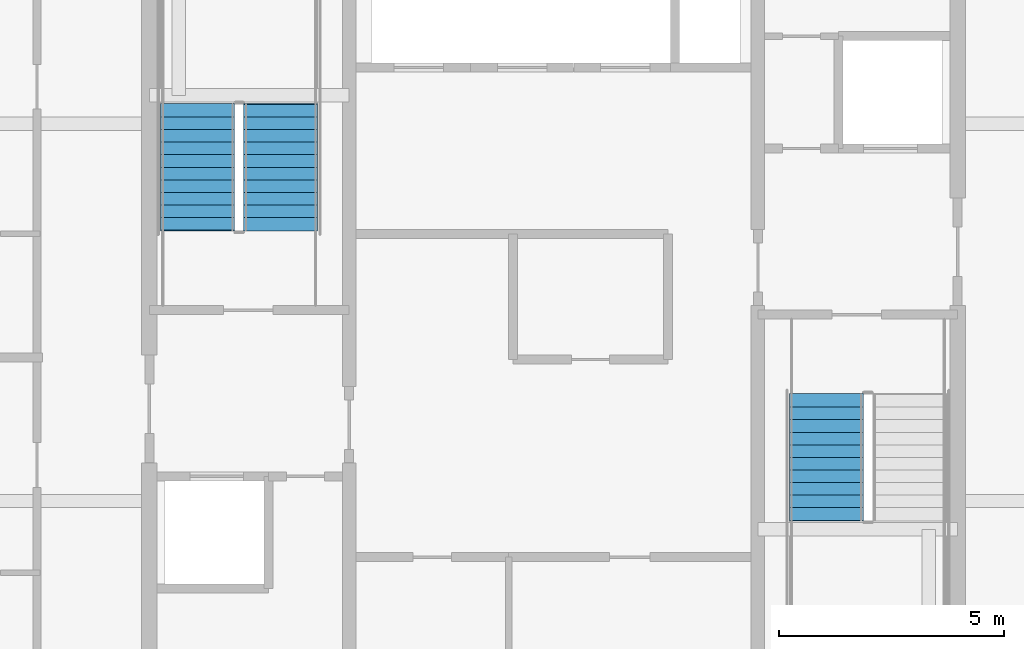
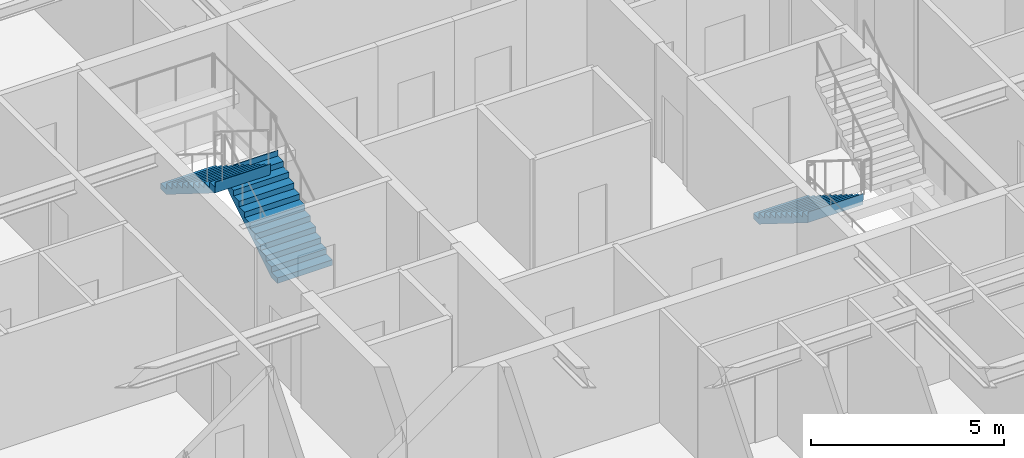
# One storey, part 33 of 39: 3 stair flights, 2 elements without a shape of their own.
"""IFC4 building model written with IfcOpenShell, lengths in metres."""

from ifc_helpers import new_model, si_unit, direction, frame, origin, place, context, subcontext, project, spatial, polygons, material, type_object, element, aggregate, save


model = new_model("IFC4")

# Units and contexts
model_context = context("Model", 3, precision=1e-05, world=origin(), true_north=direction((0.0, 1.0)))
body_context = subcontext(model_context, "Body", "Model", "MODEL_VIEW")
ifc_project = project(units=[si_unit("LENGTHUNIT", "METRE"), si_unit("AREAUNIT", "SQUARE_METRE"), si_unit("VOLUMEUNIT", "CUBIC_METRE"), si_unit("PLANEANGLEUNIT", "RADIAN"), si_unit("MASSUNIT", "GRAM", prefix="KILO")], contexts=[model_context])

# Site, building, storey
site_placement = place(None, origin())
site = spatial("IfcSite", under=ifc_project, at=site_placement, CompositionType="ELEMENT")
building_placement = place(site_placement, origin())
building = spatial("IfcBuilding", under=site, at=building_placement, Name="Serunith Strait Residences", CompositionType="ELEMENT")
storey_placement = place(building_placement, frame((0.0, 0.0, 222.0)))
storey = spatial("IfcBuildingStorey", under=building, at=storey_placement, Name="L55", CompositionType="ELEMENT", Elevation=222.0)

# Stair, stair flights
ifc_material = material(Name="Concrete C50/60", Category="concrete")
stair_type_1 = type_object("IfcStairType", Name="STR-CORE-1", PredefinedType="HALF_TURN_STAIR", material=ifc_material)
stair_1_placement = place(storey_placement, origin())
stair_1 = element("IfcStair", 1, at=stair_1_placement, inside=storey, type_object=stair_type_1, Name="L55 Protected Escape Stair ST-1", PredefinedType="HALF_TURN_STAIR")
stair_flight_type_1 = type_object("IfcStairFlightType", Name="FLT-CORE-1", PredefinedType="STRAIGHT", material=ifc_material)
stair_flight_1_placement = place(storey_placement, frame((26.324951171875, 27.030029296875, 0.0), z_axis=(0.0, 0.0, 1.0), x_axis=(0.0, 1.0, 0.0)))
stair_flight_1 = element("IfcStairFlight", 2, at=stair_flight_1_placement, type_object=stair_flight_type_1, Name="ST-1 flight 1", NumberOfRisers=11, NumberOfTreads=10, PredefinedType="STRAIGHT", RiserHeight=0.175, TreadLength=0.28, context=body_context, shape_type="Tessellation", body=[
    polygons([(-0.02001953125, -0.824951171875, 0.0), (-0.02001953125, -0.824951171875, 0.175048828125), (0.280029296875, -0.824951171875, 0.175048828125), (0.280029296875, -0.824951171875, 0.35009765625), (0.56005859375, -0.824951171875, 0.35009765625), (0.56005859375, -0.824951171875, 0.52490234375), (0.840087890625, -0.824951171875, 0.52490234375), (0.840087890625, -0.824951171875, 0.699951171875), (1.1201171875, -0.824951171875, 0.699951171875), (1.1201171875, -0.824951171875, 0.875), (1.39990234375, -0.824951171875, 0.875), (1.39990234375, -0.824951171875, 1.050048828125), (1.679931640625, -0.824951171875, 1.050048828125), (1.679931640625, -0.824951171875, 1.22509765625), (1.9599609375, -0.824951171875, 1.22509765625), (1.9599609375, -0.824951171875, 1.39990234375), (2.239990234375, -0.824951171875, 1.39990234375), (2.239990234375, -0.824951171875, 1.574951171875), (2.52001953125, -0.824951171875, 1.574951171875), (2.52001953125, -0.824951171875, 1.75), (2.800048828125, -0.824951171875, 1.75), (2.800048828125, -0.824951171875, 1.925048828125), (2.820068359375, -0.824951171875, 1.925048828125), (2.820068359375, -0.824951171875, 1.864990234375), (2.800048828125, -0.824951171875, 1.5732421875), (0.28271484375, -0.824951171875, 0.0), (-0.02001953125, -0.41259765625, 0.0), (-0.02001953125, -0.41259765625, 0.175048828125), (0.280029296875, -0.41259765625, 0.175048828125), (0.280029296875, -0.41259765625, 0.35009765625), (0.56005859375, -0.41259765625, 0.35009765625), (0.56005859375, -0.41259765625, 0.52490234375), (0.840087890625, -0.41259765625, 0.52490234375), (0.840087890625, -0.41259765625, 0.699951171875), (1.1201171875, -0.41259765625, 0.699951171875), (1.1201171875, -0.41259765625, 0.875), (1.39990234375, -0.41259765625, 0.875), (1.39990234375, -0.41259765625, 1.050048828125), (1.679931640625, -0.41259765625, 1.050048828125), (1.679931640625, -0.41259765625, 1.22509765625), (1.9599609375, -0.41259765625, 1.22509765625), (1.9599609375, -0.41259765625, 1.39990234375), (2.239990234375, -0.41259765625, 1.39990234375), (2.239990234375, -0.41259765625, 1.574951171875), (2.52001953125, -0.41259765625, 1.574951171875), (2.52001953125, -0.41259765625, 1.75), (2.800048828125, -0.41259765625, 1.75), (2.800048828125, -0.41259765625, 1.925048828125), (2.820068359375, -0.41259765625, 1.925048828125), (2.820068359375, -0.41259765625, 1.864990234375), (2.800048828125, -0.41259765625, 1.5732421875), (0.28271484375, -0.41259765625, 0.0), (-0.02001953125, 0.0, 0.0), (-0.02001953125, 0.0, 0.175048828125), (0.280029296875, 0.0, 0.175048828125), (0.280029296875, 0.0, 0.35009765625), (0.56005859375, 0.0, 0.35009765625), (0.56005859375, 0.0, 0.52490234375), (0.840087890625, 0.0, 0.52490234375), (0.840087890625, 0.0, 0.699951171875), (1.1201171875, 0.0, 0.699951171875), (1.1201171875, 0.0, 0.875), (1.39990234375, 0.0, 0.875), (1.39990234375, 0.0, 1.050048828125), (1.679931640625, 0.0, 1.050048828125), (1.679931640625, 0.0, 1.22509765625), (1.9599609375, 0.0, 1.22509765625), (1.9599609375, 0.0, 1.39990234375), (2.239990234375, 0.0, 1.39990234375), (2.239990234375, 0.0, 1.574951171875), (2.52001953125, 0.0, 1.574951171875), (2.52001953125, 0.0, 1.75), (2.800048828125, 0.0, 1.75), (2.800048828125, 0.0, 1.925048828125), (2.820068359375, 0.0, 1.925048828125), (2.820068359375, 0.0, 1.864990234375), (2.800048828125, 0.0, 1.5732421875), (0.28271484375, 0.0, 0.0), (-0.02001953125, 0.41259765625, 0.0), (-0.02001953125, 0.41259765625, 0.175048828125), (0.280029296875, 0.41259765625, 0.175048828125), (0.280029296875, 0.41259765625, 0.35009765625), (0.56005859375, 0.41259765625, 0.35009765625), (0.56005859375, 0.41259765625, 0.52490234375), (0.840087890625, 0.41259765625, 0.52490234375), (0.840087890625, 0.41259765625, 0.699951171875), (1.1201171875, 0.41259765625, 0.699951171875), (1.1201171875, 0.41259765625, 0.875), (1.39990234375, 0.41259765625, 0.875), (1.39990234375, 0.41259765625, 1.050048828125), (1.679931640625, 0.41259765625, 1.050048828125), (1.679931640625, 0.41259765625, 1.22509765625), (1.9599609375, 0.41259765625, 1.22509765625), (1.9599609375, 0.41259765625, 1.39990234375), (2.239990234375, 0.41259765625, 1.39990234375), (2.239990234375, 0.41259765625, 1.574951171875), (2.52001953125, 0.41259765625, 1.574951171875), (2.52001953125, 0.41259765625, 1.75), (2.800048828125, 0.41259765625, 1.75), (2.800048828125, 0.41259765625, 1.925048828125), (2.820068359375, 0.41259765625, 1.925048828125), (2.820068359375, 0.41259765625, 1.864990234375), (2.800048828125, 0.41259765625, 1.5732421875), (0.28271484375, 0.41259765625, 0.0), (-0.02001953125, 0.824951171875, 0.0), (-0.02001953125, 0.824951171875, 0.175048828125), (0.280029296875, 0.824951171875, 0.175048828125), (0.280029296875, 0.824951171875, 0.35009765625), (0.56005859375, 0.824951171875, 0.35009765625), (0.56005859375, 0.824951171875, 0.52490234375), (0.840087890625, 0.824951171875, 0.52490234375), (0.840087890625, 0.824951171875, 0.699951171875), (1.1201171875, 0.824951171875, 0.699951171875), (1.1201171875, 0.824951171875, 0.875), (1.39990234375, 0.824951171875, 0.875), (1.39990234375, 0.824951171875, 1.050048828125), (1.679931640625, 0.824951171875, 1.050048828125), (1.679931640625, 0.824951171875, 1.22509765625), (1.9599609375, 0.824951171875, 1.22509765625), (1.9599609375, 0.824951171875, 1.39990234375), (2.239990234375, 0.824951171875, 1.39990234375), (2.239990234375, 0.824951171875, 1.574951171875), (2.52001953125, 0.824951171875, 1.574951171875), (2.52001953125, 0.824951171875, 1.75), (2.800048828125, 0.824951171875, 1.75), (2.800048828125, 0.824951171875, 1.925048828125), (2.820068359375, 0.824951171875, 1.925048828125), (2.820068359375, 0.824951171875, 1.864990234375), (2.800048828125, 0.824951171875, 1.5732421875), (0.28271484375, 0.824951171875, 0.0)], [[[1, 2, 28, 27]], [[2, 3, 29, 28]], [[3, 4, 30, 29]], [[4, 5, 31, 30]], [[5, 6, 32, 31]], [[6, 7, 33, 32]], [[7, 8, 34, 33]], [[8, 9, 35, 34]], [[9, 10, 36, 35]], [[10, 11, 37, 36]], [[11, 12, 38, 37]], [[12, 13, 39, 38]], [[13, 14, 40, 39]], [[14, 15, 41, 40]], [[15, 16, 42, 41]], [[16, 17, 43, 42]], [[17, 18, 44, 43]], [[18, 19, 45, 44]], [[19, 20, 46, 45]], [[20, 21, 47, 46]], [[21, 22, 48, 47]], [[22, 23, 49, 48]], [[23, 24, 50, 49]], [[24, 25, 51, 50]], [[25, 26, 52, 51]], [[26, 1, 27, 52]], [[27, 28, 54, 53]], [[28, 29, 55, 54]], [[29, 30, 56, 55]], [[30, 31, 57, 56]], [[31, 32, 58, 57]], [[32, 33, 59, 58]], [[33, 34, 60, 59]], [[34, 35, 61, 60]], [[35, 36, 62, 61]], [[36, 37, 63, 62]], [[37, 38, 64, 63]], [[38, 39, 65, 64]], [[39, 40, 66, 65]], [[40, 41, 67, 66]], [[41, 42, 68, 67]], [[42, 43, 69, 68]], [[43, 44, 70, 69]], [[44, 45, 71, 70]], [[45, 46, 72, 71]], [[46, 47, 73, 72]], [[47, 48, 74, 73]], [[48, 49, 75, 74]], [[49, 50, 76, 75]], [[50, 51, 77, 76]], [[51, 52, 78, 77]], [[52, 27, 53, 78]], [[53, 54, 80, 79]], [[54, 55, 81, 80]], [[55, 56, 82, 81]], [[56, 57, 83, 82]], [[57, 58, 84, 83]], [[58, 59, 85, 84]], [[59, 60, 86, 85]], [[60, 61, 87, 86]], [[61, 62, 88, 87]], [[62, 63, 89, 88]], [[63, 64, 90, 89]], [[64, 65, 91, 90]], [[65, 66, 92, 91]], [[66, 67, 93, 92]], [[67, 68, 94, 93]], [[68, 69, 95, 94]], [[69, 70, 96, 95]], [[70, 71, 97, 96]], [[71, 72, 98, 97]], [[72, 73, 99, 98]], [[73, 74, 100, 99]], [[74, 75, 101, 100]], [[75, 76, 102, 101]], [[76, 77, 103, 102]], [[77, 78, 104, 103]], [[78, 53, 79, 104]], [[79, 80, 106, 105]], [[80, 81, 107, 106]], [[81, 82, 108, 107]], [[82, 83, 109, 108]], [[83, 84, 110, 109]], [[84, 85, 111, 110]], [[85, 86, 112, 111]], [[86, 87, 113, 112]], [[87, 88, 114, 113]], [[88, 89, 115, 114]], [[89, 90, 116, 115]], [[90, 91, 117, 116]], [[91, 92, 118, 117]], [[92, 93, 119, 118]], [[93, 94, 120, 119]], [[94, 95, 121, 120]], [[95, 96, 122, 121]], [[96, 97, 123, 122]], [[97, 98, 124, 123]], [[98, 99, 125, 124]], [[99, 100, 126, 125]], [[100, 101, 127, 126]], [[101, 102, 128, 127]], [[102, 103, 129, 128]], [[103, 104, 130, 129]], [[104, 79, 105, 130]], [[26, 25, 24, 23, 22, 21, 20, 19, 18, 17, 16, 15, 14, 13, 12, 11, 10, 9, 8, 7, 6, 5, 4, 3, 2, 1]], [[105, 106, 107, 108, 109, 110, 111, 112, 113, 114, 115, 116, 117, 118, 119, 120, 121, 122, 123, 124, 125, 126, 127, 128, 129, 130]]], closed=True),
])
stair_flight_2_placement = place(storey_placement, frame((24.47509765625, 29.830078125, 1.925048828125), z_axis=(0.0, 0.0, 1.0), x_axis=(0.0, -1.0, 0.0)))
stair_flight_2 = element("IfcStairFlight", 3, at=stair_flight_2_placement, type_object=stair_flight_type_1, Name="ST-1 flight 2", NumberOfRisers=11, NumberOfTreads=10, PredefinedType="STRAIGHT", RiserHeight=0.175, TreadLength=0.28, context=body_context, shape_type="Tessellation", body=[
    polygons([(-0.02001953125, -0.824951171875, 0.0), (-0.02001953125, -0.824951171875, 0.175048828125), (0.280029296875, -0.824951171875, 0.175048828125), (0.280029296875, -0.824951171875, 0.35009765625), (0.56005859375, -0.824951171875, 0.35009765625), (0.56005859375, -0.824951171875, 0.52490234375), (0.840087890625, -0.824951171875, 0.52490234375), (0.840087890625, -0.824951171875, 0.699951171875), (1.1201171875, -0.824951171875, 0.699951171875), (1.1201171875, -0.824951171875, 0.875), (1.39990234375, -0.824951171875, 0.875), (1.39990234375, -0.824951171875, 1.050048828125), (1.679931640625, -0.824951171875, 1.050048828125), (1.679931640625, -0.824951171875, 1.22509765625), (1.9599609375, -0.824951171875, 1.22509765625), (1.9599609375, -0.824951171875, 1.39990234375), (2.239990234375, -0.824951171875, 1.39990234375), (2.239990234375, -0.824951171875, 1.574951171875), (2.52001953125, -0.824951171875, 1.574951171875), (2.52001953125, -0.824951171875, 1.75), (2.800048828125, -0.824951171875, 1.75), (2.800048828125, -0.824951171875, 1.925048828125), (2.820068359375, -0.824951171875, 1.925048828125), (2.820068359375, -0.824951171875, 1.864990234375), (2.800048828125, -0.824951171875, 1.5732421875), (0.28271484375, -0.824951171875, 0.0), (-0.02001953125, -0.41259765625, 0.0), (-0.02001953125, -0.41259765625, 0.175048828125), (0.280029296875, -0.41259765625, 0.175048828125), (0.280029296875, -0.41259765625, 0.35009765625), (0.56005859375, -0.41259765625, 0.35009765625), (0.56005859375, -0.41259765625, 0.52490234375), (0.840087890625, -0.41259765625, 0.52490234375), (0.840087890625, -0.41259765625, 0.699951171875), (1.1201171875, -0.41259765625, 0.699951171875), (1.1201171875, -0.41259765625, 0.875), (1.39990234375, -0.41259765625, 0.875), (1.39990234375, -0.41259765625, 1.050048828125), (1.679931640625, -0.41259765625, 1.050048828125), (1.679931640625, -0.41259765625, 1.22509765625), (1.9599609375, -0.41259765625, 1.22509765625), (1.9599609375, -0.41259765625, 1.39990234375), (2.239990234375, -0.41259765625, 1.39990234375), (2.239990234375, -0.41259765625, 1.574951171875), (2.52001953125, -0.41259765625, 1.574951171875), (2.52001953125, -0.41259765625, 1.75), (2.800048828125, -0.41259765625, 1.75), (2.800048828125, -0.41259765625, 1.925048828125), (2.820068359375, -0.41259765625, 1.925048828125), (2.820068359375, -0.41259765625, 1.864990234375), (2.800048828125, -0.41259765625, 1.5732421875), (0.28271484375, -0.41259765625, 0.0), (-0.02001953125, 0.0, 0.0), (-0.02001953125, 0.0, 0.175048828125), (0.280029296875, 0.0, 0.175048828125), (0.280029296875, 0.0, 0.35009765625), (0.56005859375, 0.0, 0.35009765625), (0.56005859375, 0.0, 0.52490234375), (0.840087890625, 0.0, 0.52490234375), (0.840087890625, 0.0, 0.699951171875), (1.1201171875, 0.0, 0.699951171875), (1.1201171875, 0.0, 0.875), (1.39990234375, 0.0, 0.875), (1.39990234375, 0.0, 1.050048828125), (1.679931640625, 0.0, 1.050048828125), (1.679931640625, 0.0, 1.22509765625), (1.9599609375, 0.0, 1.22509765625), (1.9599609375, 0.0, 1.39990234375), (2.239990234375, 0.0, 1.39990234375), (2.239990234375, 0.0, 1.574951171875), (2.52001953125, 0.0, 1.574951171875), (2.52001953125, 0.0, 1.75), (2.800048828125, 0.0, 1.75), (2.800048828125, 0.0, 1.925048828125), (2.820068359375, 0.0, 1.925048828125), (2.820068359375, 0.0, 1.864990234375), (2.800048828125, 0.0, 1.5732421875), (0.28271484375, 0.0, 0.0), (-0.02001953125, 0.41259765625, 0.0), (-0.02001953125, 0.41259765625, 0.175048828125), (0.280029296875, 0.41259765625, 0.175048828125), (0.280029296875, 0.41259765625, 0.35009765625), (0.56005859375, 0.41259765625, 0.35009765625), (0.56005859375, 0.41259765625, 0.52490234375), (0.840087890625, 0.41259765625, 0.52490234375), (0.840087890625, 0.41259765625, 0.699951171875), (1.1201171875, 0.41259765625, 0.699951171875), (1.1201171875, 0.41259765625, 0.875), (1.39990234375, 0.41259765625, 0.875), (1.39990234375, 0.41259765625, 1.050048828125), (1.679931640625, 0.41259765625, 1.050048828125), (1.679931640625, 0.41259765625, 1.22509765625), (1.9599609375, 0.41259765625, 1.22509765625), (1.9599609375, 0.41259765625, 1.39990234375), (2.239990234375, 0.41259765625, 1.39990234375), (2.239990234375, 0.41259765625, 1.574951171875), (2.52001953125, 0.41259765625, 1.574951171875), (2.52001953125, 0.41259765625, 1.75), (2.800048828125, 0.41259765625, 1.75), (2.800048828125, 0.41259765625, 1.925048828125), (2.820068359375, 0.41259765625, 1.925048828125), (2.820068359375, 0.41259765625, 1.864990234375), (2.800048828125, 0.41259765625, 1.5732421875), (0.28271484375, 0.41259765625, 0.0), (-0.02001953125, 0.824951171875, 0.0), (-0.02001953125, 0.824951171875, 0.175048828125), (0.280029296875, 0.824951171875, 0.175048828125), (0.280029296875, 0.824951171875, 0.35009765625), (0.56005859375, 0.824951171875, 0.35009765625), (0.56005859375, 0.824951171875, 0.52490234375), (0.840087890625, 0.824951171875, 0.52490234375), (0.840087890625, 0.824951171875, 0.699951171875), (1.1201171875, 0.824951171875, 0.699951171875), (1.1201171875, 0.824951171875, 0.875), (1.39990234375, 0.824951171875, 0.875), (1.39990234375, 0.824951171875, 1.050048828125), (1.679931640625, 0.824951171875, 1.050048828125), (1.679931640625, 0.824951171875, 1.22509765625), (1.9599609375, 0.824951171875, 1.22509765625), (1.9599609375, 0.824951171875, 1.39990234375), (2.239990234375, 0.824951171875, 1.39990234375), (2.239990234375, 0.824951171875, 1.574951171875), (2.52001953125, 0.824951171875, 1.574951171875), (2.52001953125, 0.824951171875, 1.75), (2.800048828125, 0.824951171875, 1.75), (2.800048828125, 0.824951171875, 1.925048828125), (2.820068359375, 0.824951171875, 1.925048828125), (2.820068359375, 0.824951171875, 1.864990234375), (2.800048828125, 0.824951171875, 1.5732421875), (0.28271484375, 0.824951171875, 0.0)], [[[1, 2, 28, 27]], [[2, 3, 29, 28]], [[3, 4, 30, 29]], [[4, 5, 31, 30]], [[5, 6, 32, 31]], [[6, 7, 33, 32]], [[7, 8, 34, 33]], [[8, 9, 35, 34]], [[9, 10, 36, 35]], [[10, 11, 37, 36]], [[11, 12, 38, 37]], [[12, 13, 39, 38]], [[13, 14, 40, 39]], [[14, 15, 41, 40]], [[15, 16, 42, 41]], [[16, 17, 43, 42]], [[17, 18, 44, 43]], [[18, 19, 45, 44]], [[19, 20, 46, 45]], [[20, 21, 47, 46]], [[21, 22, 48, 47]], [[22, 23, 49, 48]], [[23, 24, 50, 49]], [[24, 25, 51, 50]], [[25, 26, 52, 51]], [[26, 1, 27, 52]], [[27, 28, 54, 53]], [[28, 29, 55, 54]], [[29, 30, 56, 55]], [[30, 31, 57, 56]], [[31, 32, 58, 57]], [[32, 33, 59, 58]], [[33, 34, 60, 59]], [[34, 35, 61, 60]], [[35, 36, 62, 61]], [[36, 37, 63, 62]], [[37, 38, 64, 63]], [[38, 39, 65, 64]], [[39, 40, 66, 65]], [[40, 41, 67, 66]], [[41, 42, 68, 67]], [[42, 43, 69, 68]], [[43, 44, 70, 69]], [[44, 45, 71, 70]], [[45, 46, 72, 71]], [[46, 47, 73, 72]], [[47, 48, 74, 73]], [[48, 49, 75, 74]], [[49, 50, 76, 75]], [[50, 51, 77, 76]], [[51, 52, 78, 77]], [[52, 27, 53, 78]], [[53, 54, 80, 79]], [[54, 55, 81, 80]], [[55, 56, 82, 81]], [[56, 57, 83, 82]], [[57, 58, 84, 83]], [[58, 59, 85, 84]], [[59, 60, 86, 85]], [[60, 61, 87, 86]], [[61, 62, 88, 87]], [[62, 63, 89, 88]], [[63, 64, 90, 89]], [[64, 65, 91, 90]], [[65, 66, 92, 91]], [[66, 67, 93, 92]], [[67, 68, 94, 93]], [[68, 69, 95, 94]], [[69, 70, 96, 95]], [[70, 71, 97, 96]], [[71, 72, 98, 97]], [[72, 73, 99, 98]], [[73, 74, 100, 99]], [[74, 75, 101, 100]], [[75, 76, 102, 101]], [[76, 77, 103, 102]], [[77, 78, 104, 103]], [[78, 53, 79, 104]], [[79, 80, 106, 105]], [[80, 81, 107, 106]], [[81, 82, 108, 107]], [[82, 83, 109, 108]], [[83, 84, 110, 109]], [[84, 85, 111, 110]], [[85, 86, 112, 111]], [[86, 87, 113, 112]], [[87, 88, 114, 113]], [[88, 89, 115, 114]], [[89, 90, 116, 115]], [[90, 91, 117, 116]], [[91, 92, 118, 117]], [[92, 93, 119, 118]], [[93, 94, 120, 119]], [[94, 95, 121, 120]], [[95, 96, 122, 121]], [[96, 97, 123, 122]], [[97, 98, 124, 123]], [[98, 99, 125, 124]], [[99, 100, 126, 125]], [[100, 101, 127, 126]], [[101, 102, 128, 127]], [[102, 103, 129, 128]], [[103, 104, 130, 129]], [[104, 79, 105, 130]], [[26, 25, 24, 23, 22, 21, 20, 19, 18, 17, 16, 15, 14, 13, 12, 11, 10, 9, 8, 7, 6, 5, 4, 3, 2, 1]], [[105, 106, 107, 108, 109, 110, 111, 112, 113, 114, 115, 116, 117, 118, 119, 120, 121, 122, 123, 124, 125, 126, 127, 128, 129, 130]]], closed=True),
])
aggregate(stair_1, [stair_flight_1, stair_flight_2])

# Stair, stair flight
stair_type_2 = type_object("IfcStairType", Name="STR-CORE-2", PredefinedType="HALF_TURN_STAIR", material=ifc_material)
stair_2_placement = place(storey_placement, origin())
stair_2 = element("IfcStair", 4, at=stair_2_placement, inside=storey, type_object=stair_type_2, Name="L55 Protected Escape Stair ST-2", PredefinedType="HALF_TURN_STAIR")
stair_flight_type_2 = type_object("IfcStairFlightType", Name="FLT-CORE-2", PredefinedType="STRAIGHT", material=ifc_material)
stair_flight_3_placement = place(storey_placement, frame((38.47509765625, 23.3701171875, 0.0), z_axis=(0.0, 0.0, 1.0), x_axis=(0.0, -1.0, 0.0)))
stair_flight_3 = element("IfcStairFlight", 5, at=stair_flight_3_placement, type_object=stair_flight_type_2, Name="ST-2 flight 1", NumberOfRisers=11, NumberOfTreads=10, PredefinedType="STRAIGHT", RiserHeight=0.175, TreadLength=0.28, context=body_context, shape_type="Tessellation", body=[
    polygons([(-0.02001953125, -0.824951171875, 0.0), (-0.02001953125, -0.824951171875, 0.175048828125), (0.280029296875, -0.824951171875, 0.175048828125), (0.280029296875, -0.824951171875, 0.35009765625), (0.56005859375, -0.824951171875, 0.35009765625), (0.56005859375, -0.824951171875, 0.52490234375), (0.840087890625, -0.824951171875, 0.52490234375), (0.840087890625, -0.824951171875, 0.699951171875), (1.1201171875, -0.824951171875, 0.699951171875), (1.1201171875, -0.824951171875, 0.875), (1.39990234375, -0.824951171875, 0.875), (1.39990234375, -0.824951171875, 1.050048828125), (1.679931640625, -0.824951171875, 1.050048828125), (1.679931640625, -0.824951171875, 1.22509765625), (1.9599609375, -0.824951171875, 1.22509765625), (1.9599609375, -0.824951171875, 1.39990234375), (2.239990234375, -0.824951171875, 1.39990234375), (2.239990234375, -0.824951171875, 1.574951171875), (2.52001953125, -0.824951171875, 1.574951171875), (2.52001953125, -0.824951171875, 1.75), (2.800048828125, -0.824951171875, 1.75), (2.800048828125, -0.824951171875, 1.925048828125), (2.820068359375, -0.824951171875, 1.925048828125), (2.820068359375, -0.824951171875, 1.864990234375), (2.800048828125, -0.824951171875, 1.5732421875), (0.28271484375, -0.824951171875, 0.0), (-0.02001953125, -0.41259765625, 0.0), (-0.02001953125, -0.41259765625, 0.175048828125), (0.280029296875, -0.41259765625, 0.175048828125), (0.280029296875, -0.41259765625, 0.35009765625), (0.56005859375, -0.41259765625, 0.35009765625), (0.56005859375, -0.41259765625, 0.52490234375), (0.840087890625, -0.41259765625, 0.52490234375), (0.840087890625, -0.41259765625, 0.699951171875), (1.1201171875, -0.41259765625, 0.699951171875), (1.1201171875, -0.41259765625, 0.875), (1.39990234375, -0.41259765625, 0.875), (1.39990234375, -0.41259765625, 1.050048828125), (1.679931640625, -0.41259765625, 1.050048828125), (1.679931640625, -0.41259765625, 1.22509765625), (1.9599609375, -0.41259765625, 1.22509765625), (1.9599609375, -0.41259765625, 1.39990234375), (2.239990234375, -0.41259765625, 1.39990234375), (2.239990234375, -0.41259765625, 1.574951171875), (2.52001953125, -0.41259765625, 1.574951171875), (2.52001953125, -0.41259765625, 1.75), (2.800048828125, -0.41259765625, 1.75), (2.800048828125, -0.41259765625, 1.925048828125), (2.820068359375, -0.41259765625, 1.925048828125), (2.820068359375, -0.41259765625, 1.864990234375), (2.800048828125, -0.41259765625, 1.5732421875), (0.28271484375, -0.41259765625, 0.0), (-0.02001953125, 0.0, 0.0), (-0.02001953125, 0.0, 0.175048828125), (0.280029296875, 0.0, 0.175048828125), (0.280029296875, 0.0, 0.35009765625), (0.56005859375, 0.0, 0.35009765625), (0.56005859375, 0.0, 0.52490234375), (0.840087890625, 0.0, 0.52490234375), (0.840087890625, 0.0, 0.699951171875), (1.1201171875, 0.0, 0.699951171875), (1.1201171875, 0.0, 0.875), (1.39990234375, 0.0, 0.875), (1.39990234375, 0.0, 1.050048828125), (1.679931640625, 0.0, 1.050048828125), (1.679931640625, 0.0, 1.22509765625), (1.9599609375, 0.0, 1.22509765625), (1.9599609375, 0.0, 1.39990234375), (2.239990234375, 0.0, 1.39990234375), (2.239990234375, 0.0, 1.574951171875), (2.52001953125, 0.0, 1.574951171875), (2.52001953125, 0.0, 1.75), (2.800048828125, 0.0, 1.75), (2.800048828125, 0.0, 1.925048828125), (2.820068359375, 0.0, 1.925048828125), (2.820068359375, 0.0, 1.864990234375), (2.800048828125, 0.0, 1.5732421875), (0.28271484375, 0.0, 0.0), (-0.02001953125, 0.41259765625, 0.0), (-0.02001953125, 0.41259765625, 0.175048828125), (0.280029296875, 0.41259765625, 0.175048828125), (0.280029296875, 0.41259765625, 0.35009765625), (0.56005859375, 0.41259765625, 0.35009765625), (0.56005859375, 0.41259765625, 0.52490234375), (0.840087890625, 0.41259765625, 0.52490234375), (0.840087890625, 0.41259765625, 0.699951171875), (1.1201171875, 0.41259765625, 0.699951171875), (1.1201171875, 0.41259765625, 0.875), (1.39990234375, 0.41259765625, 0.875), (1.39990234375, 0.41259765625, 1.050048828125), (1.679931640625, 0.41259765625, 1.050048828125), (1.679931640625, 0.41259765625, 1.22509765625), (1.9599609375, 0.41259765625, 1.22509765625), (1.9599609375, 0.41259765625, 1.39990234375), (2.239990234375, 0.41259765625, 1.39990234375), (2.239990234375, 0.41259765625, 1.574951171875), (2.52001953125, 0.41259765625, 1.574951171875), (2.52001953125, 0.41259765625, 1.75), (2.800048828125, 0.41259765625, 1.75), (2.800048828125, 0.41259765625, 1.925048828125), (2.820068359375, 0.41259765625, 1.925048828125), (2.820068359375, 0.41259765625, 1.864990234375), (2.800048828125, 0.41259765625, 1.5732421875), (0.28271484375, 0.41259765625, 0.0), (-0.02001953125, 0.824951171875, 0.0), (-0.02001953125, 0.824951171875, 0.175048828125), (0.280029296875, 0.824951171875, 0.175048828125), (0.280029296875, 0.824951171875, 0.35009765625), (0.56005859375, 0.824951171875, 0.35009765625), (0.56005859375, 0.824951171875, 0.52490234375), (0.840087890625, 0.824951171875, 0.52490234375), (0.840087890625, 0.824951171875, 0.699951171875), (1.1201171875, 0.824951171875, 0.699951171875), (1.1201171875, 0.824951171875, 0.875), (1.39990234375, 0.824951171875, 0.875), (1.39990234375, 0.824951171875, 1.050048828125), (1.679931640625, 0.824951171875, 1.050048828125), (1.679931640625, 0.824951171875, 1.22509765625), (1.9599609375, 0.824951171875, 1.22509765625), (1.9599609375, 0.824951171875, 1.39990234375), (2.239990234375, 0.824951171875, 1.39990234375), (2.239990234375, 0.824951171875, 1.574951171875), (2.52001953125, 0.824951171875, 1.574951171875), (2.52001953125, 0.824951171875, 1.75), (2.800048828125, 0.824951171875, 1.75), (2.800048828125, 0.824951171875, 1.925048828125), (2.820068359375, 0.824951171875, 1.925048828125), (2.820068359375, 0.824951171875, 1.864990234375), (2.800048828125, 0.824951171875, 1.5732421875), (0.28271484375, 0.824951171875, 0.0)], [[[1, 2, 28, 27]], [[2, 3, 29, 28]], [[3, 4, 30, 29]], [[4, 5, 31, 30]], [[5, 6, 32, 31]], [[6, 7, 33, 32]], [[7, 8, 34, 33]], [[8, 9, 35, 34]], [[9, 10, 36, 35]], [[10, 11, 37, 36]], [[11, 12, 38, 37]], [[12, 13, 39, 38]], [[13, 14, 40, 39]], [[14, 15, 41, 40]], [[15, 16, 42, 41]], [[16, 17, 43, 42]], [[17, 18, 44, 43]], [[18, 19, 45, 44]], [[19, 20, 46, 45]], [[20, 21, 47, 46]], [[21, 22, 48, 47]], [[22, 23, 49, 48]], [[23, 24, 50, 49]], [[24, 25, 51, 50]], [[25, 26, 52, 51]], [[26, 1, 27, 52]], [[27, 28, 54, 53]], [[28, 29, 55, 54]], [[29, 30, 56, 55]], [[30, 31, 57, 56]], [[31, 32, 58, 57]], [[32, 33, 59, 58]], [[33, 34, 60, 59]], [[34, 35, 61, 60]], [[35, 36, 62, 61]], [[36, 37, 63, 62]], [[37, 38, 64, 63]], [[38, 39, 65, 64]], [[39, 40, 66, 65]], [[40, 41, 67, 66]], [[41, 42, 68, 67]], [[42, 43, 69, 68]], [[43, 44, 70, 69]], [[44, 45, 71, 70]], [[45, 46, 72, 71]], [[46, 47, 73, 72]], [[47, 48, 74, 73]], [[48, 49, 75, 74]], [[49, 50, 76, 75]], [[50, 51, 77, 76]], [[51, 52, 78, 77]], [[52, 27, 53, 78]], [[53, 54, 80, 79]], [[54, 55, 81, 80]], [[55, 56, 82, 81]], [[56, 57, 83, 82]], [[57, 58, 84, 83]], [[58, 59, 85, 84]], [[59, 60, 86, 85]], [[60, 61, 87, 86]], [[61, 62, 88, 87]], [[62, 63, 89, 88]], [[63, 64, 90, 89]], [[64, 65, 91, 90]], [[65, 66, 92, 91]], [[66, 67, 93, 92]], [[67, 68, 94, 93]], [[68, 69, 95, 94]], [[69, 70, 96, 95]], [[70, 71, 97, 96]], [[71, 72, 98, 97]], [[72, 73, 99, 98]], [[73, 74, 100, 99]], [[74, 75, 101, 100]], [[75, 76, 102, 101]], [[76, 77, 103, 102]], [[77, 78, 104, 103]], [[78, 53, 79, 104]], [[79, 80, 106, 105]], [[80, 81, 107, 106]], [[81, 82, 108, 107]], [[82, 83, 109, 108]], [[83, 84, 110, 109]], [[84, 85, 111, 110]], [[85, 86, 112, 111]], [[86, 87, 113, 112]], [[87, 88, 114, 113]], [[88, 89, 115, 114]], [[89, 90, 116, 115]], [[90, 91, 117, 116]], [[91, 92, 118, 117]], [[92, 93, 119, 118]], [[93, 94, 120, 119]], [[94, 95, 121, 120]], [[95, 96, 122, 121]], [[96, 97, 123, 122]], [[97, 98, 124, 123]], [[98, 99, 125, 124]], [[99, 100, 126, 125]], [[100, 101, 127, 126]], [[101, 102, 128, 127]], [[102, 103, 129, 128]], [[103, 104, 130, 129]], [[104, 79, 105, 130]], [[26, 25, 24, 23, 22, 21, 20, 19, 18, 17, 16, 15, 14, 13, 12, 11, 10, 9, 8, 7, 6, 5, 4, 3, 2, 1]], [[105, 106, 107, 108, 109, 110, 111, 112, 113, 114, 115, 116, 117, 118, 119, 120, 121, 122, 123, 124, 125, 126, 127, 128, 129, 130]]], closed=True),
])
aggregate(stair_2, [stair_flight_3])

save(model, "model.ifc")
